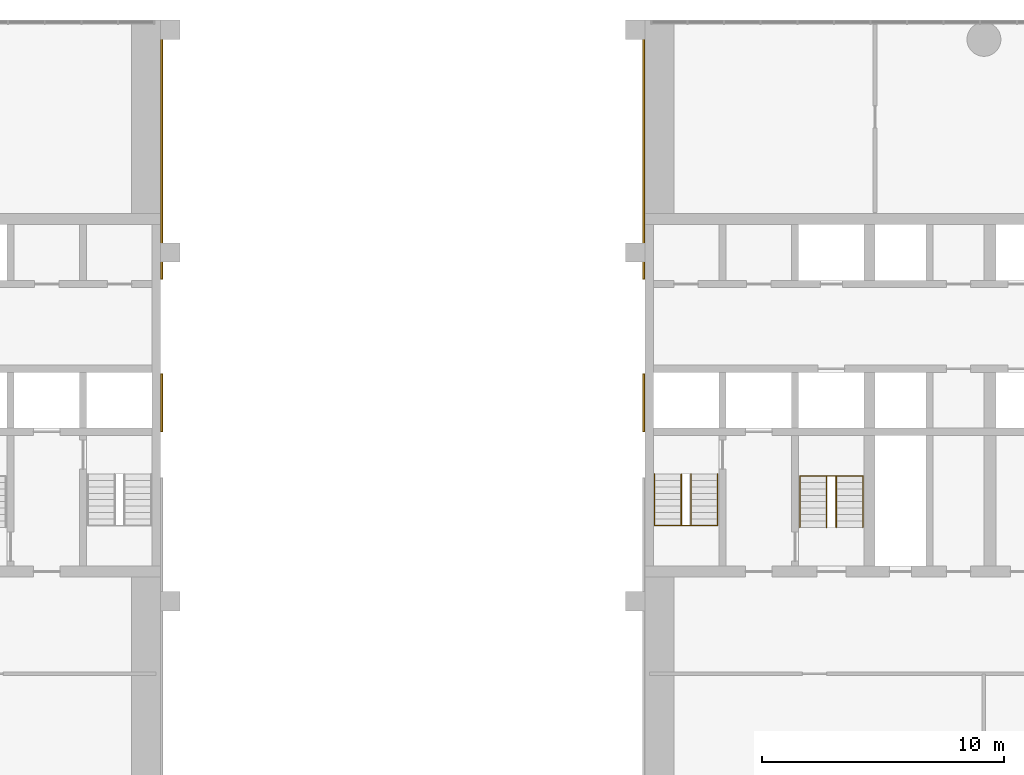
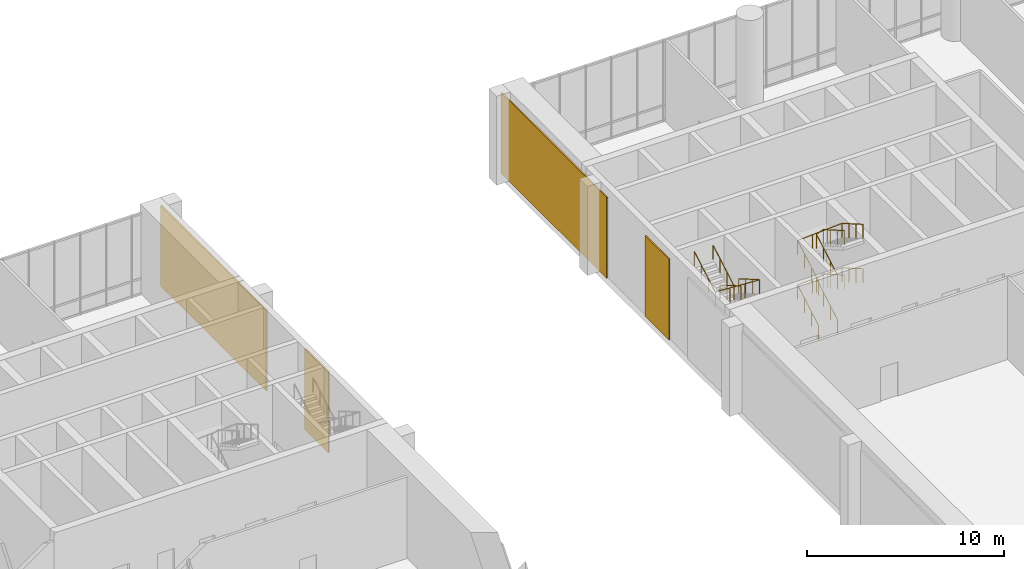
# One storey, part 28 of 28: 6 railings, 4 coverings.
"""IFC4 building model written with IfcOpenShell, lengths in metres."""

from ifc_helpers import new_model, si_unit, direction, frame, frame_2d, origin, origin_2d, place, context, subcontext, project, spatial, rectangle, circle, extrude, material, layer, layer_set, type_object, element, save


model = new_model("IFC4")

# Units and contexts
model_context = context("Model", 3, precision=1e-05, world=origin(), true_north=direction((0.0, 1.0)))
body_context = subcontext(model_context, "Body", "Model", "MODEL_VIEW")
ifc_project = project(units=[si_unit("LENGTHUNIT", "METRE"), si_unit("AREAUNIT", "SQUARE_METRE"), si_unit("VOLUMEUNIT", "CUBIC_METRE"), si_unit("PLANEANGLEUNIT", "RADIAN"), si_unit("MASSUNIT", "GRAM", prefix="KILO")], contexts=[model_context])

# Site, building, storey
site_placement = place(None, origin())
site = spatial("IfcSite", under=ifc_project, at=site_placement, CompositionType="ELEMENT")
building_placement = place(site_placement, origin())
building = spatial("IfcBuilding", under=site, at=building_placement, Name="Torana Hotel and Residences", CompositionType="ELEMENT")
storey_placement = place(building_placement, frame((0.0, 0.0, 7.0)))
storey = spatial("IfcBuildingStorey", under=building, at=storey_placement, Name="L01", CompositionType="ELEMENT", Elevation=7.0)

# Coverings
ifc_material_1 = material(Name="Black metal cladding", Category="metal")
ifc_layer = layer(ifc_material_1, 0.080078125)
ifc_layer_set = layer_set([ifc_layer], Name="CL1 ARCH JAMB CLADDING 80")
covering_type = type_object("IfcCoveringType", Name="CL1 ARCH JAMB CLADDING 80", PredefinedType="CLADDING", material=ifc_layer_set)
covering_1_placement = place(storey_placement, frame((-9.9599609375, -9.0, 0.0), z_axis=(0.0, 0.0, 1.0), x_axis=(0.0, 1.0, 0.0)))
element("IfcCovering", 1, at=covering_1_placement, inside=storey, type_object=covering_type, Name="Arch jamb cladding L01 W", PredefinedType="CLADDING", context=body_context, shape_type="SweptSolid", body=[
    extrude(rectangle(XDim=2.39990234375, YDim=0.080078125, at=frame_2d((1.199951171875, 0.0))), origin(), (0.0, 0.0, 1.0), 5.0),
])
covering_2_placement = place(storey_placement, frame((-9.9599609375, -2.699951171875, 0.0), z_axis=(0.0, 0.0, 1.0), x_axis=(0.0, 1.0, 0.0)))
element("IfcCovering", 2, at=covering_2_placement, inside=storey, type_object=covering_type, Name="Arch jamb cladding L01 W", PredefinedType="CLADDING", context=body_context, shape_type="SweptSolid", body=[
    extrude(rectangle(XDim=10.699951171875, YDim=0.080078125, at=frame_2d((5.35009765625, 0.0))), origin(), (0.0, 0.0, 1.0), 5.0),
])
covering_3_placement = place(storey_placement, frame((9.9599609375, -9.0, 0.0), z_axis=(0.0, 0.0, 1.0), x_axis=(0.0, 1.0, 0.0)))
element("IfcCovering", 3, at=covering_3_placement, inside=storey, type_object=covering_type, Name="Arch jamb cladding L01 E", PredefinedType="CLADDING", context=body_context, shape_type="SweptSolid", body=[
    extrude(rectangle(XDim=2.39990234375, YDim=0.080078125, at=frame_2d((1.199951171875, 0.0))), origin(), (0.0, 0.0, 1.0), 5.0),
])
covering_4_placement = place(storey_placement, frame((9.9599609375, -2.699951171875, 0.0), z_axis=(0.0, 0.0, 1.0), x_axis=(0.0, 1.0, 0.0)))
element("IfcCovering", 4, at=covering_4_placement, inside=storey, type_object=covering_type, Name="Arch jamb cladding L01 E", PredefinedType="CLADDING", context=body_context, shape_type="SweptSolid", body=[
    extrude(rectangle(XDim=10.699951171875, YDim=0.080078125, at=frame_2d((5.35009765625, 0.0))), origin(), (0.0, 0.0, 1.0), 5.0),
])

# Railings
ifc_material_2 = material(Name="Stainless steel 316", Category="steel")
railing_type = type_object("IfcRailingType", Name="STAIR HANDRAIL HR1 900", PredefinedType="HANDRAIL", material=ifc_material_2)
railing_1_placement = place(storey_placement, frame((13.0, -10.75, 2.90283203125)))
element("IfcRailing", 5, at=railing_1_placement, inside=storey, type_object=railing_type, Name="Handrail ST3 L01 O2", PredefinedType="HANDRAIL", context=body_context, shape_type="SweptSolid", body=[
    extrude(circle(Radius=0.02392578125, at=origin_2d()), frame((0.0, 0.0, 0.8759765625), z_axis=(0.0, -0.866358268178, 0.499423018252), x_axis=(1.0, 0.0, 0.0)), (0.0, 0.0, 1.0), 2.447265625),
    extrude(circle(Radius=0.02392578125, at=origin_2d()), frame((0.0, -2.1201171875, 2.09814453125), z_axis=(-0.998276957998, 0.0, 0.058678063447), x_axis=(0.0, -1.0, 0.0)), (0.0, 0.0, 1.0), 2.6044921875),
    extrude(circle(Radius=0.02392578125, at=origin_2d()), frame((-2.60009765625, -2.1201171875, 2.2509765625), z_axis=(0.0, 0.866358268178, 0.499423018252), x_axis=(-1.0, 0.0, 0.0)), (0.0, 0.0, 1.0), 2.447265625),
    extrude(circle(Radius=0.02099609375, at=origin_2d()), origin(), (0.0, 0.0, 1.0), 0.851806640625),
    extrude(circle(Radius=0.02099609375, at=origin_2d()), frame((0.0, -0.706787109375, 0.407470703125)), (0.0, 0.0, 1.0), 0.851806640625),
    extrude(circle(Radius=0.02099609375, at=origin_2d()), frame((0.0, -1.413330078125, 0.814697265625)), (0.0, 0.0, 1.0), 0.851806640625),
    extrude(circle(Radius=0.02099609375, at=origin_2d()), frame((0.0, -2.1201171875, 1.22216796875)), (0.0, 0.0, 1.0), 0.851806640625),
    extrude(circle(Radius=0.02099609375, at=origin_2d()), frame((-0.86669921875, -2.1201171875, 1.273193359375)), (0.0, 0.0, 1.0), 0.851806640625),
    extrude(circle(Radius=0.02099609375, at=origin_2d()), frame((-1.7333984375, -2.1201171875, 1.323974609375)), (0.0, 0.0, 1.0), 0.851806640625),
    extrude(circle(Radius=0.02099609375, at=origin_2d()), frame((-2.60009765625, -2.1201171875, 1.375)), (0.0, 0.0, 1.0), 0.851806640625),
    extrude(circle(Radius=0.02099609375, at=origin_2d()), frame((-2.60009765625, -1.413330078125, 1.782470703125)), (0.0, 0.0, 1.0), 0.851806640625),
    extrude(circle(Radius=0.02099609375, at=origin_2d()), frame((-2.60009765625, -0.706787109375, 2.189697265625)), (0.0, 0.0, 1.0), 0.851806640625),
    extrude(circle(Radius=0.02099609375, at=origin_2d()), frame((-2.60009765625, 0.0, 2.59716796875)), (0.0, 0.0, 1.0), 0.851806640625),
])
railing_2_placement = place(storey_placement, frame((11.89990234375, -10.75, 2.90283203125)))
element("IfcRailing", 6, at=railing_2_placement, inside=storey, type_object=railing_type, Name="Handrail ST3 L01 I2", PredefinedType="HANDRAIL", context=body_context, shape_type="SweptSolid", body=[
    extrude(circle(Radius=0.02392578125, at=origin_2d()), frame((0.0, 0.0, 0.8759765625), z_axis=(0.0, -0.866358268178, 0.499423018252), x_axis=(1.0, 0.0, 0.0)), (0.0, 0.0, 1.0), 2.447265625),
    extrude(circle(Radius=0.02392578125, at=origin_2d()), frame((0.0, -2.1201171875, 2.09814453125), z_axis=(-0.934107774737, 0.0, 0.356991127586), x_axis=(0.0, -1.0, 0.0)), (0.0, 0.0, 1.0), 0.42822265625),
    extrude(circle(Radius=0.02392578125, at=origin_2d()), frame((-0.39990234375, -2.1201171875, 2.2509765625), z_axis=(0.0, 0.866358268178, 0.499423018252), x_axis=(-1.0, 0.0, 0.0)), (0.0, 0.0, 1.0), 2.447265625),
    extrude(circle(Radius=0.02099609375, at=origin_2d()), origin(), (0.0, 0.0, 1.0), 0.851806640625),
    extrude(circle(Radius=0.02099609375, at=origin_2d()), frame((0.0, -0.706787109375, 0.407470703125)), (0.0, 0.0, 1.0), 0.851806640625),
    extrude(circle(Radius=0.02099609375, at=origin_2d()), frame((0.0, -1.413330078125, 0.814697265625)), (0.0, 0.0, 1.0), 0.851806640625),
    extrude(circle(Radius=0.02099609375, at=origin_2d()), frame((0.0, -2.1201171875, 1.22216796875)), (0.0, 0.0, 1.0), 0.851806640625),
    extrude(circle(Radius=0.02099609375, at=origin_2d()), frame((-0.39990234375, -2.1201171875, 1.375)), (0.0, 0.0, 1.0), 0.851806640625),
    extrude(circle(Radius=0.02099609375, at=origin_2d()), frame((-0.39990234375, -1.413330078125, 1.782470703125)), (0.0, 0.0, 1.0), 0.851806640625),
    extrude(circle(Radius=0.02099609375, at=origin_2d()), frame((-0.39990234375, -0.706787109375, 2.189697265625)), (0.0, 0.0, 1.0), 0.851806640625),
    extrude(circle(Radius=0.02099609375, at=origin_2d()), frame((-0.39990234375, 0.0, 2.59716796875)), (0.0, 0.0, 1.0), 0.851806640625),
])
railing_3_placement = place(storey_placement, frame((16.39990234375, -12.949951171875, 0.15283203125)))
element("IfcRailing", 7, at=railing_3_placement, inside=storey, type_object=railing_type, Name="Handrail ST4 L01 O1", PredefinedType="HANDRAIL", context=body_context, shape_type="SweptSolid", body=[
    extrude(circle(Radius=0.02392578125, at=origin_2d()), frame((0.0, 0.0, 0.8759765625), z_axis=(0.0, 0.866333381259, 0.49946618756), x_axis=(-1.0, 0.0, 0.0)), (0.0, 0.0, 1.0), 2.447021484375),
    extrude(circle(Radius=0.02392578125, at=origin_2d()), frame((0.0, 2.119873046875, 2.09814453125), z_axis=(0.998276957998, 0.0, 0.058678063447), x_axis=(0.0, 1.0, 0.0)), (0.0, 0.0, 1.0), 2.6044921875),
    extrude(circle(Radius=0.02392578125, at=origin_2d()), frame((2.60009765625, 2.119873046875, 2.2509765625), z_axis=(0.0, -0.866333381259, 0.49946618756), x_axis=(1.0, 0.0, 0.0)), (0.0, 0.0, 1.0), 2.447021484375),
    extrude(circle(Radius=0.02099609375, at=origin_2d()), origin(), (0.0, 0.0, 1.0), 0.851806640625),
    extrude(circle(Radius=0.02099609375, at=origin_2d()), frame((0.0, 0.70654296875, 0.407470703125)), (0.0, 0.0, 1.0), 0.851806640625),
    extrude(circle(Radius=0.02099609375, at=origin_2d()), frame((0.0, 1.413330078125, 0.814697265625)), (0.0, 0.0, 1.0), 0.851806640625),
    extrude(circle(Radius=0.02099609375, at=origin_2d()), frame((0.0, 2.119873046875, 1.22216796875)), (0.0, 0.0, 1.0), 0.851806640625),
    extrude(circle(Radius=0.02099609375, at=origin_2d()), frame((0.86669921875, 2.119873046875, 1.273193359375)), (0.0, 0.0, 1.0), 0.851806640625),
    extrude(circle(Radius=0.02099609375, at=origin_2d()), frame((1.7333984375, 2.119873046875, 1.323974609375)), (0.0, 0.0, 1.0), 0.851806640625),
    extrude(circle(Radius=0.02099609375, at=origin_2d()), frame((2.60009765625, 2.119873046875, 1.375)), (0.0, 0.0, 1.0), 0.851806640625),
    extrude(circle(Radius=0.02099609375, at=origin_2d()), frame((2.60009765625, 1.413330078125, 1.782470703125)), (0.0, 0.0, 1.0), 0.851806640625),
    extrude(circle(Radius=0.02099609375, at=origin_2d()), frame((2.60009765625, 0.70654296875, 2.189697265625)), (0.0, 0.0, 1.0), 0.851806640625),
    extrude(circle(Radius=0.02099609375, at=origin_2d()), frame((2.60009765625, 0.0, 2.59716796875)), (0.0, 0.0, 1.0), 0.851806640625),
])
railing_4_placement = place(storey_placement, frame((17.5, -12.949951171875, 0.15283203125)))
element("IfcRailing", 8, at=railing_4_placement, inside=storey, type_object=railing_type, Name="Handrail ST4 L01 I1", PredefinedType="HANDRAIL", context=body_context, shape_type="SweptSolid", body=[
    extrude(circle(Radius=0.02392578125, at=origin_2d()), frame((0.0, 0.0, 0.8759765625), z_axis=(0.0, 0.866333381259, 0.49946618756), x_axis=(-1.0, 0.0, 0.0)), (0.0, 0.0, 1.0), 2.447021484375),
    extrude(circle(Radius=0.02392578125, at=origin_2d()), frame((0.0, 2.119873046875, 2.09814453125), z_axis=(0.934107774737, 0.0, 0.356991127586), x_axis=(0.0, 1.0, 0.0)), (0.0, 0.0, 1.0), 0.42822265625),
    extrude(circle(Radius=0.02392578125, at=origin_2d()), frame((0.39990234375, 2.119873046875, 2.2509765625), z_axis=(0.0, -0.866333381259, 0.49946618756), x_axis=(1.0, 0.0, 0.0)), (0.0, 0.0, 1.0), 2.447021484375),
    extrude(circle(Radius=0.02099609375, at=origin_2d()), origin(), (0.0, 0.0, 1.0), 0.851806640625),
    extrude(circle(Radius=0.02099609375, at=origin_2d()), frame((0.0, 0.70654296875, 0.407470703125)), (0.0, 0.0, 1.0), 0.851806640625),
    extrude(circle(Radius=0.02099609375, at=origin_2d()), frame((0.0, 1.413330078125, 0.814697265625)), (0.0, 0.0, 1.0), 0.851806640625),
    extrude(circle(Radius=0.02099609375, at=origin_2d()), frame((0.0, 2.119873046875, 1.22216796875)), (0.0, 0.0, 1.0), 0.851806640625),
    extrude(circle(Radius=0.02099609375, at=origin_2d()), frame((0.39990234375, 2.119873046875, 1.375)), (0.0, 0.0, 1.0), 0.851806640625),
    extrude(circle(Radius=0.02099609375, at=origin_2d()), frame((0.39990234375, 1.413330078125, 1.782470703125)), (0.0, 0.0, 1.0), 0.851806640625),
    extrude(circle(Radius=0.02099609375, at=origin_2d()), frame((0.39990234375, 0.70654296875, 2.189697265625)), (0.0, 0.0, 1.0), 0.851806640625),
    extrude(circle(Radius=0.02099609375, at=origin_2d()), frame((0.39990234375, 0.0, 2.59716796875)), (0.0, 0.0, 1.0), 0.851806640625),
])
railing_5_placement = place(storey_placement, frame((16.39990234375, -12.949951171875, 2.90283203125)))
element("IfcRailing", 9, at=railing_5_placement, inside=storey, type_object=railing_type, Name="Handrail ST4 L01 O2", PredefinedType="HANDRAIL", context=body_context, shape_type="SweptSolid", body=[
    extrude(circle(Radius=0.02392578125, at=origin_2d()), frame((0.0, 0.0, 0.8759765625), z_axis=(0.0, 0.866333381259, 0.49946618756), x_axis=(-1.0, 0.0, 0.0)), (0.0, 0.0, 1.0), 2.447021484375),
    extrude(circle(Radius=0.02392578125, at=origin_2d()), frame((0.0, 2.119873046875, 2.09814453125), z_axis=(0.998276957998, 0.0, 0.058678063447), x_axis=(0.0, 1.0, 0.0)), (0.0, 0.0, 1.0), 2.6044921875),
    extrude(circle(Radius=0.02392578125, at=origin_2d()), frame((2.60009765625, 2.119873046875, 2.2509765625), z_axis=(0.0, -0.866333381259, 0.49946618756), x_axis=(1.0, 0.0, 0.0)), (0.0, 0.0, 1.0), 2.447021484375),
    extrude(circle(Radius=0.02099609375, at=origin_2d()), origin(), (0.0, 0.0, 1.0), 0.851806640625),
    extrude(circle(Radius=0.02099609375, at=origin_2d()), frame((0.0, 0.70654296875, 0.407470703125)), (0.0, 0.0, 1.0), 0.851806640625),
    extrude(circle(Radius=0.02099609375, at=origin_2d()), frame((0.0, 1.413330078125, 0.814697265625)), (0.0, 0.0, 1.0), 0.851806640625),
    extrude(circle(Radius=0.02099609375, at=origin_2d()), frame((0.0, 2.119873046875, 1.22216796875)), (0.0, 0.0, 1.0), 0.851806640625),
    extrude(circle(Radius=0.02099609375, at=origin_2d()), frame((0.86669921875, 2.119873046875, 1.273193359375)), (0.0, 0.0, 1.0), 0.851806640625),
    extrude(circle(Radius=0.02099609375, at=origin_2d()), frame((1.7333984375, 2.119873046875, 1.323974609375)), (0.0, 0.0, 1.0), 0.851806640625),
    extrude(circle(Radius=0.02099609375, at=origin_2d()), frame((2.60009765625, 2.119873046875, 1.375)), (0.0, 0.0, 1.0), 0.851806640625),
    extrude(circle(Radius=0.02099609375, at=origin_2d()), frame((2.60009765625, 1.413330078125, 1.782470703125)), (0.0, 0.0, 1.0), 0.851806640625),
    extrude(circle(Radius=0.02099609375, at=origin_2d()), frame((2.60009765625, 0.70654296875, 2.189697265625)), (0.0, 0.0, 1.0), 0.851806640625),
    extrude(circle(Radius=0.02099609375, at=origin_2d()), frame((2.60009765625, 0.0, 2.59716796875)), (0.0, 0.0, 1.0), 0.851806640625),
])
railing_6_placement = place(storey_placement, frame((17.5, -12.949951171875, 2.90283203125)))
element("IfcRailing", 10, at=railing_6_placement, inside=storey, type_object=railing_type, Name="Handrail ST4 L01 I2", PredefinedType="HANDRAIL", context=body_context, shape_type="SweptSolid", body=[
    extrude(circle(Radius=0.02392578125, at=origin_2d()), frame((0.0, 0.0, 0.8759765625), z_axis=(0.0, 0.866333381259, 0.49946618756), x_axis=(-1.0, 0.0, 0.0)), (0.0, 0.0, 1.0), 2.447021484375),
    extrude(circle(Radius=0.02392578125, at=origin_2d()), frame((0.0, 2.119873046875, 2.09814453125), z_axis=(0.934107774737, 0.0, 0.356991127586), x_axis=(0.0, 1.0, 0.0)), (0.0, 0.0, 1.0), 0.42822265625),
    extrude(circle(Radius=0.02392578125, at=origin_2d()), frame((0.39990234375, 2.119873046875, 2.2509765625), z_axis=(0.0, -0.866333381259, 0.49946618756), x_axis=(1.0, 0.0, 0.0)), (0.0, 0.0, 1.0), 2.447021484375),
    extrude(circle(Radius=0.02099609375, at=origin_2d()), origin(), (0.0, 0.0, 1.0), 0.851806640625),
    extrude(circle(Radius=0.02099609375, at=origin_2d()), frame((0.0, 0.70654296875, 0.407470703125)), (0.0, 0.0, 1.0), 0.851806640625),
    extrude(circle(Radius=0.02099609375, at=origin_2d()), frame((0.0, 1.413330078125, 0.814697265625)), (0.0, 0.0, 1.0), 0.851806640625),
    extrude(circle(Radius=0.02099609375, at=origin_2d()), frame((0.0, 2.119873046875, 1.22216796875)), (0.0, 0.0, 1.0), 0.851806640625),
    extrude(circle(Radius=0.02099609375, at=origin_2d()), frame((0.39990234375, 2.119873046875, 1.375)), (0.0, 0.0, 1.0), 0.851806640625),
    extrude(circle(Radius=0.02099609375, at=origin_2d()), frame((0.39990234375, 1.413330078125, 1.782470703125)), (0.0, 0.0, 1.0), 0.851806640625),
    extrude(circle(Radius=0.02099609375, at=origin_2d()), frame((0.39990234375, 0.70654296875, 2.189697265625)), (0.0, 0.0, 1.0), 0.851806640625),
    extrude(circle(Radius=0.02099609375, at=origin_2d()), frame((0.39990234375, 0.0, 2.59716796875)), (0.0, 0.0, 1.0), 0.851806640625),
])

save(model, "model.ifc")
